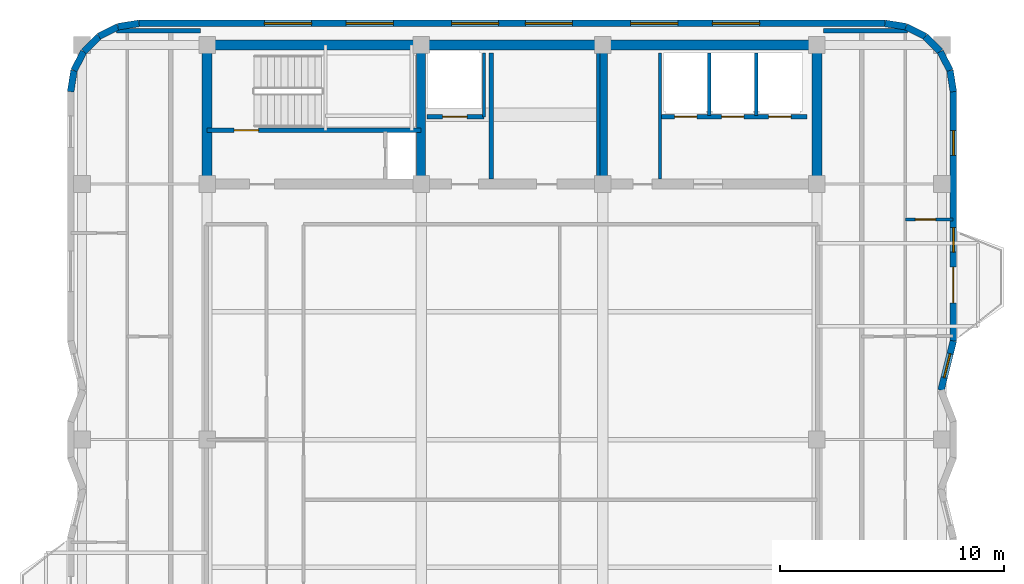
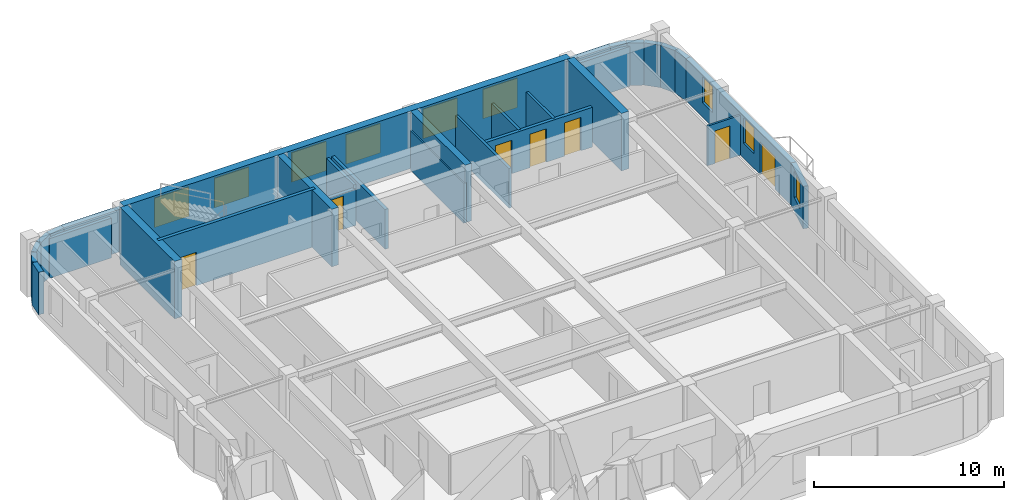
# One storey, part 5 of 8: 30 walls, 9 windows, 7 doors, 16 openings.
"""IFC4 building model written with IfcOpenShell, lengths in metres."""

from ifc_helpers import new_model, si_unit, direction, frame, frame_2d, origin, place, context, subcontext, project, spatial, rectangle, extrude, material, layer, layer_set, type_object, element, fill, save


model = new_model("IFC4")

# Units and contexts
model_context = context("Model", 3, precision=1e-05, world=origin(), true_north=direction((0.0, 1.0)))
body_context = subcontext(model_context, "Body", "Model", "MODEL_VIEW")
ifc_project = project(units=[si_unit("LENGTHUNIT", "METRE"), si_unit("AREAUNIT", "SQUARE_METRE"), si_unit("VOLUMEUNIT", "CUBIC_METRE"), si_unit("PLANEANGLEUNIT", "RADIAN"), si_unit("MASSUNIT", "GRAM", prefix="KILO")], contexts=[model_context])

# Site, building, storey
site_placement = place(None, origin())
site = spatial("IfcSite", under=ifc_project, at=site_placement, CompositionType="ELEMENT")
building_placement = place(site_placement, origin())
building = spatial("IfcBuilding", under=site, at=building_placement, Name="Svetorya Sky Lyceum", CompositionType="ELEMENT")
storey_placement = place(building_placement, frame((0.0, 0.0, 263.89990234375)))
storey = spatial("IfcBuildingStorey", under=building, at=storey_placement, Name="L66", CompositionType="ELEMENT", Elevation=263.89990234375)

# Walls
ifc_material_1 = material(Name="Concrete C40/50", Category="concrete")
ifc_layer_1 = layer(ifc_material_1, 0.39990234375)
ifc_layer_set_1 = layer_set([ifc_layer_1], Name="Concrete C40/50")
wall_type_1 = type_object("IfcWallType", Name="WL-CORE-400", PredefinedType="SHEAR", material=ifc_layer_set_1)
for number, where, z_axis, x_axis, name in (
    (1, (35.14990234375, 39.824951171875, 0.0), (0.0, 0.0, 1.0), (0.0, 1.0, 0.0), "L66 NC Internal Shear Web WEB1"),
    (2, (43.25, 39.824951171875, 0.0), (0.0, 0.0, 1.0), (0.0, 1.0, 0.0), "L66 NC Internal Shear Web WEB2"),
):
    element("IfcWall", number, at=place(storey_placement, frame(where, z_axis=z_axis, x_axis=x_axis)), inside=storey, type_object=wall_type_1, Name=name, PredefinedType="SHEAR", context=body_context, shape_type="SweptSolid", body=[
        extrude(rectangle(XDim=5.75, YDim=0.39990234375, at=frame_2d((2.875, 0.0))), origin(), (0.0, 0.0, 1.0), 3.7001953125),
    ])
ifc_material_2 = material(Name="Concrete C50/60", Category="concrete")
ifc_layer_2 = layer(ifc_material_2, 0.449951171875)
ifc_layer_set_2 = layer_set([ifc_layer_2], Name="Concrete C50/60")
wall_type_2 = type_object("IfcWallType", Name="WL-CORE-450", PredefinedType="SHEAR", material=ifc_layer_set_2)
wall_1_placement = place(storey_placement, frame((25.60009765625, 45.800048828125, 0.0), z_axis=(0.0, 0.0, 1.0), x_axis=(1.0, 0.0, 0.0)))
element("IfcWall", 3, at=wall_1_placement, inside=storey, type_object=wall_type_2, Name="L66 NC Outer Core Shear Wall", PredefinedType="SHEAR", context=body_context, shape_type="SweptSolid", body=[
    extrude(rectangle(XDim=27.199951171875, YDim=0.449951171875, at=frame_2d((13.60009765625, 0.0))), origin(), (0.0, 0.0, 1.0), 3.7001953125),
])
for number, where, z_axis, x_axis, name in (
    (4, (25.60009765625, 39.824951171875, 0.0), (0.0, 0.0, 1.0), (0.0, 1.0, 0.0), "L66 NC West Core Shear Wall"),
    (5, (52.800048828125, 39.824951171875, 0.0), (0.0, 0.0, 1.0), (0.0, 1.0, 0.0), "L66 NC East Core Shear Wall"),
):
    element("IfcWall", number, at=place(storey_placement, frame(where, z_axis=z_axis, x_axis=x_axis)), inside=storey, type_object=wall_type_2, Name=name, PredefinedType="SHEAR", context=body_context, shape_type="SweptSolid", body=[
        extrude(rectangle(XDim=5.75, YDim=0.449951171875, at=frame_2d((2.875, 0.0))), origin(), (0.0, 0.0, 1.0), 3.7001953125),
    ])

# Wall, opening, window
ifc_material_3 = material(Name="Putilovo limestone rainscreen on autoclaved cellular masonry", Category="masonry")
ifc_layer_3 = layer(ifc_material_3, 0.300048828125)
ifc_layer_set_3 = layer_set([ifc_layer_3], Name="Putilovo limestone rainscreen on autoclaved cellular masonry")
wall_type_3 = type_object("IfcWallType", Name="WL-EXT-300", PredefinedType="SOLIDWALL", material=ifc_layer_set_3)
wall_2_placement = place(storey_placement, frame((58.340087890625, 30.39990234375, 0.0), z_axis=(0.0, 0.0, 1.0), x_axis=(0.242434303349, 0.970167824946, 0.0)))
wall_2 = element("IfcWall", 6, at=wall_2_placement, inside=storey, type_object=wall_type_3, Name="L66 Limestone Exterior Wall 17M", PredefinedType="SOLIDWALL", context=body_context, shape_type="SweptSolid", body=[
    extrude(rectangle(XDim=2.267822265625, YDim=0.300048828125, at=frame_2d((1.1337890625, 0.0))), origin(), (0.0, 0.0, 1.0), 2.72998046875),
])
opening_1_placement = place(wall_2_placement, frame((0.583984375, 0.0, 0.919921875)))
opening_1 = element("IfcOpeningElement", 7, at=opening_1_placement, cuts=wall_2, Name="Opening W-R3", PredefinedType="OPENING", context=body_context, shape_type="SweptSolid", body=[
    extrude(rectangle(XDim=1.10009765625, YDim=1.64990234375, at=frame_2d((0.550048828125, 0.824951171875))), frame((0.0, 0.159912109375, 0.0), z_axis=(0.0, -1.0, 0.0), x_axis=(1.0, 0.0, 0.0)), (0.0, 0.0, 1.0), 0.320068359375),
])
ifc_material_4 = material(Name="Thermally broken aluminium frame with triple low-E glazing", Category="aluminium")
window_type_1 = type_object("IfcWindowType", Name="WN-RES-110", PartitioningType="SINGLE_PANEL", PredefinedType="WINDOW", material=ifc_material_4)
window_1_placement = place(opening_1_placement, origin())
window_1 = element("IfcWindow", 8, at=window_1_placement, inside=storey, type_object=window_type_1, Name="L66 Facade Window W-R3.17M.1", OverallHeight=1.64990234375, OverallWidth=1.10009765625, PartitioningType="SINGLE_PANEL", PredefinedType="WINDOW", context=body_context, shape_type="SweptSolid", body=[
    extrude(rectangle(XDim=1.10009765625, YDim=1.64990234375, at=frame_2d((0.550048828125, 0.824951171875))), frame((0.0, 0.030029296875, 0.0), z_axis=(0.0, -1.0, 0.0), x_axis=(1.0, 0.0, 0.0)), (0.0, 0.0, 1.0), 0.06005859375),
])
fill(opening_1, window_1)

# Wall, openings, door, windows
wall_3_placement = place(storey_placement, frame((58.889892578125, 32.60009765625, 0.0), z_axis=(0.0, 0.0, 1.0), x_axis=(0.0, 1.0, 0.0)))
wall_3 = element("IfcWall", 9, at=wall_3_placement, inside=storey, type_object=wall_type_3, Name="L66 Limestone Exterior Wall 18M", PredefinedType="SOLIDWALL", context=body_context, shape_type="SweptSolid", body=[
    extrude(rectangle(XDim=11.119873046875, YDim=0.300048828125, at=frame_2d((5.56005859375, 0.0))), origin(), (0.0, 0.0, 1.0), 2.72998046875),
])
opening_2_placement = place(wall_3_placement, frame((1.699951171875, 0.0, 0.0)))
opening_2 = element("IfcOpeningElement", 10, at=opening_2_placement, cuts=wall_3, Name="Opening D-BL1", PredefinedType="OPENING", context=body_context, shape_type="SweptSolid", body=[
    extrude(rectangle(XDim=1.60009765625, YDim=2.10009765625, at=frame_2d((0.800048828125, 1.050048828125))), frame((0.0, 0.159912109375, 0.0), z_axis=(0.0, -1.0, 0.0), x_axis=(1.0, 0.0, 0.0)), (0.0, 0.0, 1.0), 0.320068359375),
])
opening_3_placement = place(wall_3_placement, frame((3.9599609375, 0.0, 0.949951171875)))
opening_3 = element("IfcOpeningElement", 11, at=opening_3_placement, cuts=wall_3, Name="Opening W-R3", PredefinedType="OPENING", context=body_context, shape_type="SweptSolid", body=[
    extrude(rectangle(XDim=1.10009765625, YDim=1.64990234375, at=frame_2d((0.550048828125, 0.824951171875))), frame((0.0, 0.159912109375, 0.0), z_axis=(0.0, -1.0, 0.0), x_axis=(1.0, 0.0, 0.0)), (0.0, 0.0, 1.0), 0.320068359375),
])
opening_4_placement = place(wall_3_placement, frame((8.283203125, 0.0, 0.949951171875)))
opening_4 = element("IfcOpeningElement", 12, at=opening_4_placement, cuts=wall_3, Name="Opening W-R3", PredefinedType="OPENING", context=body_context, shape_type="SweptSolid", body=[
    extrude(rectangle(XDim=1.10009765625, YDim=1.64990234375, at=frame_2d((0.550048828125, 0.824951171875))), frame((0.0, 0.159912109375, 0.0), z_axis=(0.0, -1.0, 0.0), x_axis=(1.0, 0.0, 0.0)), (0.0, 0.0, 1.0), 0.320068359375),
])
ifc_material_5 = material(Name="Insulated glazed aluminium balcony door", Category="aluminium")
door_type_1 = type_object("IfcDoorType", Name="DR-BAL-1600", OperationType="DOUBLE_DOOR_SINGLE_SWING", PredefinedType="DOOR", material=ifc_material_5)
door_1_placement = place(opening_2_placement, origin())
door_1 = element("IfcDoor", 13, at=door_1_placement, inside=storey, type_object=door_type_1, Name="L66 Balcony BAL-E1 Door", OperationType="DOUBLE_DOOR_SINGLE_SWING", OverallHeight=2.10009765625, OverallWidth=1.60009765625, PredefinedType="DOOR", context=body_context, shape_type="SweptSolid", body=[
    extrude(rectangle(XDim=1.60009765625, YDim=2.10009765625, at=frame_2d((0.800048828125, 1.050048828125))), frame((0.0, 0.02490234375, 0.0), z_axis=(0.0, -1.0, 0.0), x_axis=(1.0, 0.0, 0.0)), (0.0, 0.0, 1.0), 0.050048828125),
])
fill(opening_2, door_1)
window_2_placement = place(opening_3_placement, origin())
window_2 = element("IfcWindow", 14, at=window_2_placement, inside=storey, type_object=window_type_1, Name="L66 Facade Window W-R3.18M.1", OverallHeight=1.64990234375, OverallWidth=1.10009765625, PartitioningType="SINGLE_PANEL", PredefinedType="WINDOW", context=body_context, shape_type="SweptSolid", body=[
    extrude(rectangle(XDim=1.10009765625, YDim=1.64990234375, at=frame_2d((0.550048828125, 0.824951171875))), frame((0.0, 0.030029296875, 0.0), z_axis=(0.0, -1.0, 0.0), x_axis=(1.0, 0.0, 0.0)), (0.0, 0.0, 1.0), 0.06005859375),
])
fill(opening_3, window_2)
window_3_placement = place(opening_4_placement, origin())
window_3 = element("IfcWindow", 15, at=window_3_placement, inside=storey, type_object=window_type_1, Name="L66 Facade Window W-R3.18M.2", OverallHeight=1.64990234375, OverallWidth=1.10009765625, PartitioningType="SINGLE_PANEL", PredefinedType="WINDOW", context=body_context, shape_type="SweptSolid", body=[
    extrude(rectangle(XDim=1.10009765625, YDim=1.64990234375, at=frame_2d((0.550048828125, 0.824951171875))), frame((0.0, 0.030029296875, 0.0), z_axis=(0.0, -1.0, 0.0), x_axis=(1.0, 0.0, 0.0)), (0.0, 0.0, 1.0), 0.06005859375),
])
fill(opening_4, window_3)

# Walls
wall_4_placement = place(storey_placement, frame((58.889892578125, 43.719970703125, 0.0), z_axis=(0.0, 0.0, 1.0), x_axis=(-0.156304114255, 0.987708977314, 0.0)))
element("IfcWall", 16, at=wall_4_placement, inside=storey, type_object=wall_type_3, Name="L66 Limestone Exterior Wall 19M", PredefinedType="SOLIDWALL", context=body_context, shape_type="SweptSolid", body=[
    extrude(rectangle(XDim=0.954345703125, YDim=0.300048828125, at=frame_2d((0.47705078125, 0.0))), origin(), (0.0, 0.0, 1.0), 2.72998046875),
])
wall_5_placement = place(storey_placement, frame((58.74072265625, 44.66259765625, 0.0), z_axis=(0.0, 0.0, 1.0), x_axis=(-0.45395644796, 0.891023873617, 0.0)))
element("IfcWall", 17, at=wall_5_placement, inside=storey, type_object=wall_type_3, Name="L66 Limestone Exterior Wall 20M", PredefinedType="SOLIDWALL", context=body_context, shape_type="SweptSolid", body=[
    extrude(rectangle(XDim=0.9541015625, YDim=0.300048828125, at=frame_2d((0.47705078125, 0.0))), origin(), (0.0, 0.0, 1.0), 2.72998046875),
])
for number, where, z_axis, x_axis, name in (
    (18, (58.3076171875, 45.5126953125, 0.0), (0.0, 0.0, 1.0), (-0.707106781187, 0.707106781187, 0.0), "L66 Limestone Exterior Wall 21M"),
    (19, (57.6328125, 46.1875, 0.0), (0.0, 0.0, 1.0), (-0.891076589373, 0.453852962833, 0.0), "L66 Limestone Exterior Wall 22M"),
):
    element("IfcWall", number, at=place(storey_placement, frame(where, z_axis=z_axis, x_axis=x_axis)), inside=storey, type_object=wall_type_3, Name=name, PredefinedType="SOLIDWALL", context=body_context, shape_type="SweptSolid", body=[
        extrude(rectangle(XDim=0.954345703125, YDim=0.300048828125, at=frame_2d((0.47705078125, 0.0))), origin(), (0.0, 0.0, 1.0), 2.72998046875),
    ])
wall_6_placement = place(storey_placement, frame((56.782470703125, 46.62060546875, 0.0), z_axis=(0.0, 0.0, 1.0), x_axis=(-0.987663181641, 0.156593229835, 0.0)))
element("IfcWall", 20, at=wall_6_placement, inside=storey, type_object=wall_type_3, Name="L66 Limestone Exterior Wall 23M", PredefinedType="SOLIDWALL", context=body_context, shape_type="SweptSolid", body=[
    extrude(rectangle(XDim=0.9541015625, YDim=0.300048828125, at=frame_2d((0.47705078125, 0.0))), origin(), (0.0, 0.0, 1.0), 2.72998046875),
])

# Wall, openings, windows
wall_7_placement = place(storey_placement, frame((55.840087890625, 46.77001953125, 0.0), z_axis=(0.0, 0.0, 1.0), x_axis=(-1.0, 0.0, 0.0)))
wall_7 = element("IfcWall", 21, at=wall_7_placement, inside=storey, type_object=wall_type_3, Name="L66 Limestone Exterior Wall 24M", PredefinedType="SOLIDWALL", context=body_context, shape_type="SweptSolid", body=[
    extrude(rectangle(XDim=33.280029296875, YDim=0.300048828125, at=frame_2d((16.64013671875, 0.0))), origin(), (0.0, 0.0, 1.0), 2.72998046875),
])
opening_5_placement = place(wall_7_placement, frame((5.59619140625, 0.0, 0.7099609375)))
opening_5 = element("IfcOpeningElement", 22, at=opening_5_placement, cuts=wall_7, Name="Opening W-R0", PredefinedType="OPENING", context=body_context, shape_type="SweptSolid", body=[
    extrude(rectangle(XDim=2.10009765625, YDim=1.89990234375, at=frame_2d((1.050048828125, 0.949951171875))), frame((0.0, 0.159912109375, 0.0), z_axis=(0.0, -1.0, 0.0), x_axis=(1.0, 0.0, 0.0)), (0.0, 0.0, 1.0), 0.320068359375),
])
opening_6_placement = place(wall_7_placement, frame((9.243896484375, 0.0, 0.7099609375)))
opening_6 = element("IfcOpeningElement", 23, at=opening_6_placement, cuts=wall_7, Name="Opening W-R0", PredefinedType="OPENING", context=body_context, shape_type="SweptSolid", body=[
    extrude(rectangle(XDim=2.10009765625, YDim=1.89990234375, at=frame_2d((1.050048828125, 0.949951171875))), frame((0.0, 0.159912109375, 0.0), z_axis=(0.0, -1.0, 0.0), x_axis=(1.0, 0.0, 0.0)), (0.0, 0.0, 1.0), 0.320068359375),
])
opening_7_placement = place(wall_7_placement, frame((13.94140625, 0.0, 0.7099609375)))
opening_7 = element("IfcOpeningElement", 24, at=opening_7_placement, cuts=wall_7, Name="Opening W-R0", PredefinedType="OPENING", context=body_context, shape_type="SweptSolid", body=[
    extrude(rectangle(XDim=2.10009765625, YDim=1.89990234375, at=frame_2d((1.050048828125, 0.949951171875))), frame((0.0, 0.159912109375, 0.0), z_axis=(0.0, -1.0, 0.0), x_axis=(1.0, 0.0, 0.0)), (0.0, 0.0, 1.0), 0.320068359375),
])
opening_8_placement = place(wall_7_placement, frame((17.23876953125, 0.0, 0.7099609375)))
opening_8 = element("IfcOpeningElement", 25, at=opening_8_placement, cuts=wall_7, Name="Opening W-R0", PredefinedType="OPENING", context=body_context, shape_type="SweptSolid", body=[
    extrude(rectangle(XDim=2.10009765625, YDim=1.89990234375, at=frame_2d((1.050048828125, 0.949951171875))), frame((0.0, 0.159912109375, 0.0), z_axis=(0.0, -1.0, 0.0), x_axis=(1.0, 0.0, 0.0)), (0.0, 0.0, 1.0), 0.320068359375),
])
opening_9_placement = place(wall_7_placement, frame((21.936279296875, 0.0, 0.7099609375)))
opening_9 = element("IfcOpeningElement", 26, at=opening_9_placement, cuts=wall_7, Name="Opening W-R0", PredefinedType="OPENING", context=body_context, shape_type="SweptSolid", body=[
    extrude(rectangle(XDim=2.10009765625, YDim=1.89990234375, at=frame_2d((1.050048828125, 0.949951171875))), frame((0.0, 0.159912109375, 0.0), z_axis=(0.0, -1.0, 0.0), x_axis=(1.0, 0.0, 0.0)), (0.0, 0.0, 1.0), 0.320068359375),
])
opening_10_placement = place(wall_7_placement, frame((25.583740234375, 0.0, 0.7099609375)))
opening_10 = element("IfcOpeningElement", 27, at=opening_10_placement, cuts=wall_7, Name="Opening W-R0", PredefinedType="OPENING", context=body_context, shape_type="SweptSolid", body=[
    extrude(rectangle(XDim=2.10009765625, YDim=1.89990234375, at=frame_2d((1.050048828125, 0.949951171875))), frame((0.0, 0.159912109375, 0.0), z_axis=(0.0, -1.0, 0.0), x_axis=(1.0, 0.0, 0.0)), (0.0, 0.0, 1.0), 0.320068359375),
])
window_type_2 = type_object("IfcWindowType", Name="WN-RES-210", PartitioningType="TRIPLE_PANEL_VERTICAL", PredefinedType="WINDOW", material=ifc_material_4)
window_4_placement = place(opening_5_placement, origin())
window_4 = element("IfcWindow", 28, at=window_4_placement, inside=storey, type_object=window_type_2, Name="L66 Facade Window W-R0.24M.1", OverallHeight=1.89990234375, OverallWidth=2.10009765625, PartitioningType="SINGLE_PANEL", PredefinedType="WINDOW", context=body_context, shape_type="SweptSolid", body=[
    extrude(rectangle(XDim=2.10009765625, YDim=1.89990234375, at=frame_2d((1.050048828125, 0.949951171875))), frame((0.0, 0.030029296875, 0.0), z_axis=(0.0, -1.0, 0.0), x_axis=(1.0, 0.0, 0.0)), (0.0, 0.0, 1.0), 0.06005859375),
])
fill(opening_5, window_4)
window_5_placement = place(opening_6_placement, origin())
window_5 = element("IfcWindow", 29, at=window_5_placement, inside=storey, type_object=window_type_2, Name="L66 Facade Window W-R0.24M.2", OverallHeight=1.89990234375, OverallWidth=2.10009765625, PartitioningType="SINGLE_PANEL", PredefinedType="WINDOW", context=body_context, shape_type="SweptSolid", body=[
    extrude(rectangle(XDim=2.10009765625, YDim=1.89990234375, at=frame_2d((1.050048828125, 0.949951171875))), frame((0.0, 0.030029296875, 0.0), z_axis=(0.0, -1.0, 0.0), x_axis=(1.0, 0.0, 0.0)), (0.0, 0.0, 1.0), 0.06005859375),
])
fill(opening_6, window_5)
window_6_placement = place(opening_7_placement, origin())
window_6 = element("IfcWindow", 30, at=window_6_placement, inside=storey, type_object=window_type_2, Name="L66 Facade Window W-R0.24M.3", OverallHeight=1.89990234375, OverallWidth=2.10009765625, PartitioningType="SINGLE_PANEL", PredefinedType="WINDOW", context=body_context, shape_type="SweptSolid", body=[
    extrude(rectangle(XDim=2.10009765625, YDim=1.89990234375, at=frame_2d((1.050048828125, 0.949951171875))), frame((0.0, 0.030029296875, 0.0), z_axis=(0.0, -1.0, 0.0), x_axis=(1.0, 0.0, 0.0)), (0.0, 0.0, 1.0), 0.06005859375),
])
fill(opening_7, window_6)
window_7_placement = place(opening_8_placement, origin())
window_7 = element("IfcWindow", 31, at=window_7_placement, inside=storey, type_object=window_type_2, Name="L66 Facade Window W-R0.24M.4", OverallHeight=1.89990234375, OverallWidth=2.10009765625, PartitioningType="SINGLE_PANEL", PredefinedType="WINDOW", context=body_context, shape_type="SweptSolid", body=[
    extrude(rectangle(XDim=2.10009765625, YDim=1.89990234375, at=frame_2d((1.050048828125, 0.949951171875))), frame((0.0, 0.030029296875, 0.0), z_axis=(0.0, -1.0, 0.0), x_axis=(1.0, 0.0, 0.0)), (0.0, 0.0, 1.0), 0.06005859375),
])
fill(opening_8, window_7)
window_8_placement = place(opening_9_placement, origin())
window_8 = element("IfcWindow", 32, at=window_8_placement, inside=storey, type_object=window_type_2, Name="L66 Facade Window W-R0.24M.5", OverallHeight=1.89990234375, OverallWidth=2.10009765625, PartitioningType="SINGLE_PANEL", PredefinedType="WINDOW", context=body_context, shape_type="SweptSolid", body=[
    extrude(rectangle(XDim=2.10009765625, YDim=1.89990234375, at=frame_2d((1.050048828125, 0.949951171875))), frame((0.0, 0.030029296875, 0.0), z_axis=(0.0, -1.0, 0.0), x_axis=(1.0, 0.0, 0.0)), (0.0, 0.0, 1.0), 0.06005859375),
])
fill(opening_9, window_8)
window_9_placement = place(opening_10_placement, origin())
window_9 = element("IfcWindow", 33, at=window_9_placement, inside=storey, type_object=window_type_2, Name="L66 Facade Window W-R0.24M.6", OverallHeight=1.89990234375, OverallWidth=2.10009765625, PartitioningType="SINGLE_PANEL", PredefinedType="WINDOW", context=body_context, shape_type="SweptSolid", body=[
    extrude(rectangle(XDim=2.10009765625, YDim=1.89990234375, at=frame_2d((1.050048828125, 0.949951171875))), frame((0.0, 0.030029296875, 0.0), z_axis=(0.0, -1.0, 0.0), x_axis=(1.0, 0.0, 0.0)), (0.0, 0.0, 1.0), 0.06005859375),
])
fill(opening_10, window_9)

# Walls
wall_8_placement = place(storey_placement, frame((22.56005859375, 46.77001953125, 0.0), z_axis=(0.0, 0.0, 1.0), x_axis=(-0.987669453596, -0.156553666304, 0.0)))
element("IfcWall", 34, at=wall_8_placement, inside=storey, type_object=wall_type_3, Name="L66 Limestone Exterior Wall 25M", PredefinedType="SOLIDWALL", context=body_context, shape_type="SweptSolid", body=[
    extrude(rectangle(XDim=0.954345703125, YDim=0.300048828125, at=frame_2d((0.47705078125, 0.0))), origin(), (0.0, 0.0, 1.0), 2.72998046875),
])
wall_9_placement = place(storey_placement, frame((21.617431640625, 46.62060546875, 0.0), z_axis=(0.0, 0.0, 1.0), x_axis=(-0.891023873617, -0.45395644796, 0.0)))
element("IfcWall", 35, at=wall_9_placement, inside=storey, type_object=wall_type_3, Name="L66 Limestone Exterior Wall 26M", PredefinedType="SOLIDWALL", context=body_context, shape_type="SweptSolid", body=[
    extrude(rectangle(XDim=0.9541015625, YDim=0.300048828125, at=frame_2d((0.47705078125, 0.0))), origin(), (0.0, 0.0, 1.0), 2.72998046875),
])
wall_10_placement = place(storey_placement, frame((20.767333984375, 46.1875, 0.0), z_axis=(0.0, 0.0, 1.0), x_axis=(-0.707106781187, -0.707106781187, 0.0)))
element("IfcWall", 36, at=wall_10_placement, inside=storey, type_object=wall_type_3, Name="L66 Limestone Exterior Wall 27M", PredefinedType="SOLIDWALL", context=body_context, shape_type="SweptSolid", body=[
    extrude(rectangle(XDim=0.954345703125, YDim=0.300048828125, at=frame_2d((0.47705078125, 0.0))), origin(), (0.0, 0.0, 1.0), 2.72998046875),
])
wall_11_placement = place(storey_placement, frame((20.092529296875, 45.5126953125, 0.0), z_axis=(0.0, 0.0, 1.0), x_axis=(-0.454159573051, -0.890920356825, 0.0)))
element("IfcWall", 37, at=wall_11_placement, inside=storey, type_object=wall_type_3, Name="L66 Limestone Exterior Wall 28M", PredefinedType="SOLIDWALL", context=body_context, shape_type="SweptSolid", body=[
    extrude(rectangle(XDim=0.9541015625, YDim=0.300048828125, at=frame_2d((0.47705078125, 0.0))), origin(), (0.0, 0.0, 1.0), 2.72998046875),
])
wall_12_placement = place(storey_placement, frame((19.6591796875, 44.66259765625, 0.0), z_axis=(0.0, 0.0, 1.0), x_axis=(-0.156304114255, -0.987708977314, 0.0)))
element("IfcWall", 38, at=wall_12_placement, inside=storey, type_object=wall_type_3, Name="L66 Limestone Exterior Wall 29M", PredefinedType="SOLIDWALL", context=body_context, shape_type="SweptSolid", body=[
    extrude(rectangle(XDim=0.954345703125, YDim=0.300048828125, at=frame_2d((0.47705078125, 0.0))), origin(), (0.0, 0.0, 1.0), 2.72998046875),
])

# Wall, opening, door
ifc_material_6 = material(Name="Twin-stud galvanized framing with double fireboard", Category="gypsum")
ifc_layer_4 = layer(ifc_material_6, 0.1201171875)
ifc_layer_set_4 = layer_set([ifc_layer_4], Name="Twin-stud galvanized framing with double fireboard")
wall_type_4 = type_object("IfcWallType", Name="WL-PART-120", PredefinedType="PARTITIONING", material=ifc_layer_set_4)
wall_13_placement = place(storey_placement, frame((56.75, 38.02001953125, 0.0), z_axis=(0.0, 0.0, 1.0), x_axis=(1.0, 0.0, 0.0)))
wall_13 = element("IfcWall", 39, at=wall_13_placement, inside=storey, type_object=wall_type_4, Name="L66 Interior Partition E1-WL3", PredefinedType="PARTITIONING", context=body_context, shape_type="SweptSolid", body=[
    extrude(rectangle(XDim=2.1201171875, YDim=0.1201171875, at=frame_2d((1.06005859375, 0.0))), origin(), (0.0, 0.0, 1.0), 2.56005859375),
])
opening_11_placement = place(wall_13_placement, frame((0.449951171875, 0.0, 0.0)))
opening_11 = element("IfcOpeningElement", 40, at=opening_11_placement, cuts=wall_13, Name="Opening D-RM1", PredefinedType="OPENING", context=body_context, shape_type="SweptSolid", body=[
    extrude(rectangle(XDim=0.89990234375, YDim=2.10009765625, at=frame_2d((0.449951171875, 1.050048828125))), frame((0.0, 0.070068359375, 0.0), z_axis=(0.0, -1.0, 0.0), x_axis=(1.0, 0.0, 0.0)), (0.0, 0.0, 1.0), 0.14013671875),
])
ifc_material_7 = material(Name="Lacquered birch veneer internal door")
door_type_2 = type_object("IfcDoorType", Name="DR-INT-900", OperationType="SINGLE_SWING_LEFT", PredefinedType="DOOR", material=ifc_material_7)
door_2_placement = place(opening_11_placement, origin())
door_2 = element("IfcDoor", 41, at=door_2_placement, inside=storey, type_object=door_type_2, Name="Apartment E1 Bedroom 3 Door", OperationType="SINGLE_SWING_RIGHT", OverallHeight=2.10009765625, OverallWidth=0.89990234375, PredefinedType="DOOR", context=body_context, shape_type="SweptSolid", body=[
    extrude(rectangle(XDim=0.89990234375, YDim=2.10009765625, at=frame_2d((0.449951171875, 1.050048828125))), frame((0.0, 0.02490234375, 0.0), z_axis=(0.0, -1.0, 0.0), x_axis=(1.0, 0.0, 0.0)), (0.0, 0.0, 1.0), 0.050048828125),
])
fill(opening_11, door_2)

# Walls
ifc_material_8 = material(Name="Autoclaved cellular masonry blockwork with acoustic render", Category="masonry")
ifc_layer_5 = layer(ifc_material_8, 0.14990234375)
ifc_layer_set_5 = layer_set([ifc_layer_5], Name="Autoclaved cellular masonry blockwork with acoustic render")
wall_type_5 = type_object("IfcWallType", Name="WL-PART-150", PredefinedType="PARTITIONING", material=ifc_layer_set_5)
wall_14_placement = place(storey_placement, frame((37.949951171875, 42.60009765625, 0.0), z_axis=(0.0, 0.0, 1.0), x_axis=(0.0, 1.0, 0.0)))
element("IfcWall", 42, at=wall_14_placement, inside=storey, type_object=wall_type_5, Name="L66 Interior Partition NC-FL1SIDE", PredefinedType="PARTITIONING", context=body_context, shape_type="SweptSolid", body=[
    extrude(rectangle(XDim=2.849853515625, YDim=0.14990234375, at=frame_2d((1.4248046875, 0.0))), origin(), (0.0, 0.0, 1.0), 2.56005859375),
])
for number, where, z_axis, x_axis, name in (
    (43, (43.050048828125, 39.820068359375, 0.0), (0.0, 0.0, 1.0), (0.0, 1.0, 0.0), "L66 Interior Partition NC-FPM-END"),
    (44, (45.800048828125, 39.820068359375, 0.0), (0.0, 0.0, 1.0), (0.0, 1.0, 0.0), "L66 Interior Partition NC-PM3-FULL"),
):
    element("IfcWall", number, at=place(storey_placement, frame(where, z_axis=z_axis, x_axis=x_axis)), inside=storey, type_object=wall_type_5, Name=name, PredefinedType="PARTITIONING", context=body_context, shape_type="SweptSolid", body=[
        extrude(rectangle(XDim=5.6298828125, YDim=0.14990234375, at=frame_2d((2.81494140625, 0.0))), origin(), (0.0, 0.0, 1.0), 2.56005859375),
    ])
for number, where, z_axis, x_axis, name in (
    (45, (48.0, 42.64990234375, 0.0), (0.0, 0.0, 1.0), (0.0, 1.0, 0.0), "L66 Interior Partition NC-PH-D1"),
    (46, (50.10009765625, 42.64990234375, 0.0), (0.0, 0.0, 1.0), (0.0, 1.0, 0.0), "L66 Interior Partition NC-PH-D2"),
):
    element("IfcWall", number, at=place(storey_placement, frame(where, z_axis=z_axis, x_axis=x_axis)), inside=storey, type_object=wall_type_5, Name=name, PredefinedType="PARTITIONING", context=body_context, shape_type="SweptSolid", body=[
        extrude(rectangle(XDim=2.800048828125, YDim=0.14990234375, at=frame_2d((1.39990234375, 0.0))), origin(), (0.0, 0.0, 1.0), 2.56005859375),
    ])

# Wall, opening, door
ifc_material_9 = material(Name="Autoclaved cellular masonry blockwork with gypsum plaster", Category="masonry")
ifc_layer_6 = layer(ifc_material_9, 0.199951171875)
ifc_layer_set_6 = layer_set([ifc_layer_6], Name="Autoclaved cellular masonry blockwork with gypsum plaster")
wall_type_6 = type_object("IfcWallType", Name="WL-PART-200", PredefinedType="PARTITIONING", material=ifc_layer_set_6)
wall_15_placement = place(storey_placement, frame((37.949951171875, 42.60009765625, 0.0), z_axis=(0.0, 0.0, 1.0), x_axis=(-1.0, 0.0, 0.0)))
wall_15 = element("IfcWall", 47, at=wall_15_placement, inside=storey, type_object=wall_type_6, Name="L66 Interior Partition NC-FL1W", PredefinedType="PARTITIONING", context=body_context, shape_type="SweptSolid", body=[
    extrude(rectangle(XDim=2.550048828125, YDim=0.199951171875, at=frame_2d((1.27490234375, 0.0))), origin(), (0.0, 0.0, 1.0), 2.330078125),
])
opening_12_placement = place(wall_15_placement, frame((0.75, 0.0, 0.0)))
opening_12 = element("IfcOpeningElement", 48, at=opening_12_placement, cuts=wall_15, Name="Opening LD-FL", PredefinedType="OPENING", context=body_context, shape_type="SweptSolid", body=[
    extrude(rectangle(XDim=1.10009765625, YDim=2.14990234375, at=frame_2d((0.550048828125, 1.074951171875))), frame((0.0, 0.10986328125, 0.0), z_axis=(0.0, -1.0, 0.0), x_axis=(1.0, 0.0, 0.0)), (0.0, 0.0, 1.0), 0.219970703125),
])
ifc_material_10 = material(Name="Fire-rated stainless AISI 304 firefighting lift landing door")
door_type_3 = type_object("IfcDoorType", Name="DR-LIFT-1100", OperationType="SLIDING_TO_LEFT", PredefinedType="DOOR", material=ifc_material_10)
door_3_placement = place(opening_12_placement, origin())
door_3 = element("IfcDoor", 49, at=door_3_placement, inside=storey, type_object=door_type_3, Name="L66 Firefighting Lift FL1 Landing Door", OperationType="SLIDING_TO_LEFT", OverallHeight=2.14990234375, OverallWidth=1.10009765625, PredefinedType="DOOR", context=body_context, shape_type="SweptSolid", body=[
    extrude(rectangle(XDim=1.10009765625, YDim=2.14990234375, at=frame_2d((0.550048828125, 1.074951171875))), frame((0.0, 0.02490234375, 0.0), z_axis=(0.0, -1.0, 0.0), x_axis=(1.0, 0.0, 0.0)), (0.0, 0.0, 1.0), 0.050048828125),
])
fill(opening_12, door_3)

# Wall
wall_16_placement = place(storey_placement, frame((38.280029296875, 39.820068359375, 0.0), z_axis=(0.0, 0.0, 1.0), x_axis=(0.0, 1.0, 0.0)))
element("IfcWall", 50, at=wall_16_placement, inside=storey, type_object=wall_type_6, Name="L66 Interior Partition NC-FFLDIV", PredefinedType="PARTITIONING", context=body_context, shape_type="SweptSolid", body=[
    extrude(rectangle(XDim=5.6298828125, YDim=0.199951171875, at=frame_2d((2.81494140625, 0.0))), origin(), (0.0, 0.0, 1.0), 2.56005859375),
])

# Wall, openings, doors
wall_17_placement = place(storey_placement, frame((52.35009765625, 42.60009765625, 0.0), z_axis=(0.0, 0.0, 1.0), x_axis=(-1.0, 0.0, 0.0)))
wall_17 = element("IfcWall", 51, at=wall_17_placement, inside=storey, type_object=wall_type_6, Name="L66 Interior Partition NC-PHEW", PredefinedType="PARTITIONING", context=body_context, shape_type="SweptSolid", body=[
    extrude(rectangle(XDim=6.5, YDim=0.199951171875, at=frame_2d((3.25, 0.0))), origin(), (0.0, 0.0, 1.0), 2.56005859375),
])
opening_13_placement = place(wall_17_placement, frame((4.89990234375, 0.0, 0.0)))
opening_13 = element("IfcOpeningElement", 52, at=opening_13_placement, cuts=wall_17, Name="Opening LD-P1", PredefinedType="OPENING", context=body_context, shape_type="SweptSolid", body=[
    extrude(rectangle(XDim=1.0, YDim=2.14990234375, at=frame_2d((0.5, 1.074951171875))), frame((0.0, 0.10986328125, 0.0), z_axis=(0.0, -1.0, 0.0), x_axis=(1.0, 0.0, 0.0)), (0.0, 0.0, 1.0), 0.219970703125),
])
opening_14_placement = place(wall_17_placement, frame((2.800048828125, 0.0, 0.0)))
opening_14 = element("IfcOpeningElement", 53, at=opening_14_placement, cuts=wall_17, Name="Opening LD-P1", PredefinedType="OPENING", context=body_context, shape_type="SweptSolid", body=[
    extrude(rectangle(XDim=1.0, YDim=2.14990234375, at=frame_2d((0.5, 1.074951171875))), frame((0.0, 0.10986328125, 0.0), z_axis=(0.0, -1.0, 0.0), x_axis=(1.0, 0.0, 0.0)), (0.0, 0.0, 1.0), 0.219970703125),
])
opening_15_placement = place(wall_17_placement, frame((0.699951171875, 0.0, 0.0)))
opening_15 = element("IfcOpeningElement", 54, at=opening_15_placement, cuts=wall_17, Name="Opening LD-P1", PredefinedType="OPENING", context=body_context, shape_type="SweptSolid", body=[
    extrude(rectangle(XDim=1.0, YDim=2.14990234375, at=frame_2d((0.5, 1.074951171875))), frame((0.0, 0.10986328125, 0.0), z_axis=(0.0, -1.0, 0.0), x_axis=(1.0, 0.0, 0.0)), (0.0, 0.0, 1.0), 0.219970703125),
])
ifc_material_11 = material(Name="Champagne-anodized stainless passenger lift landing door")
door_type_4 = type_object("IfcDoorType", Name="DR-LIFT-1000", OperationType="SLIDING_TO_LEFT", PredefinedType="DOOR", material=ifc_material_11)
door_4_placement = place(opening_13_placement, origin())
door_4 = element("IfcDoor", 55, at=door_4_placement, inside=storey, type_object=door_type_4, Name="L66 Passenger Lift PH1 Landing Door", OperationType="SLIDING_TO_LEFT", OverallHeight=2.14990234375, OverallWidth=1.0, PredefinedType="DOOR", context=body_context, shape_type="SweptSolid", body=[
    extrude(rectangle(XDim=1.0, YDim=2.14990234375, at=frame_2d((0.5, 1.074951171875))), frame((0.0, 0.02490234375, 0.0), z_axis=(0.0, -1.0, 0.0), x_axis=(1.0, 0.0, 0.0)), (0.0, 0.0, 1.0), 0.050048828125),
])
fill(opening_13, door_4)
door_5_placement = place(opening_14_placement, origin())
door_5 = element("IfcDoor", 56, at=door_5_placement, inside=storey, type_object=door_type_4, Name="L66 Passenger Lift PH2 Landing Door", OperationType="SLIDING_TO_LEFT", OverallHeight=2.14990234375, OverallWidth=1.0, PredefinedType="DOOR", context=body_context, shape_type="SweptSolid", body=[
    extrude(rectangle(XDim=1.0, YDim=2.14990234375, at=frame_2d((0.5, 1.074951171875))), frame((0.0, 0.02490234375, 0.0), z_axis=(0.0, -1.0, 0.0), x_axis=(1.0, 0.0, 0.0)), (0.0, 0.0, 1.0), 0.050048828125),
])
fill(opening_14, door_5)
door_6_placement = place(opening_15_placement, origin())
door_6 = element("IfcDoor", 57, at=door_6_placement, inside=storey, type_object=door_type_4, Name="L66 Passenger Lift PH3 Landing Door", OperationType="SLIDING_TO_LEFT", OverallHeight=2.14990234375, OverallWidth=1.0, PredefinedType="DOOR", context=body_context, shape_type="SweptSolid", body=[
    extrude(rectangle(XDim=1.0, YDim=2.14990234375, at=frame_2d((0.5, 1.074951171875))), frame((0.0, 0.02490234375, 0.0), z_axis=(0.0, -1.0, 0.0), x_axis=(1.0, 0.0, 0.0)), (0.0, 0.0, 1.0), 0.050048828125),
])
fill(opening_15, door_6)

# Walls
wall_18_placement = place(storey_placement, frame((21.5458984375, 46.449951171875, 0.0), z_axis=(0.0, 0.0, 1.0), x_axis=(1.0, 0.0, 0.0)))
element("IfcWall", 58, at=wall_18_placement, inside=storey, type_object=wall_type_6, Name="L66 Interior Partition W-CAP-N", PredefinedType="PARTITIONING", context=body_context, shape_type="SweptSolid", body=[
    extrude(rectangle(XDim=3.754150390625, YDim=0.199951171875, at=frame_2d((1.876953125, 0.0))), origin(), (0.0, 0.0, 1.0), 2.56005859375),
])
wall_19_placement = place(storey_placement, frame((53.10009765625, 46.449951171875, 0.0), z_axis=(0.0, 0.0, 1.0), x_axis=(1.0, 0.0, 0.0)))
element("IfcWall", 59, at=wall_19_placement, inside=storey, type_object=wall_type_6, Name="L66 Interior Partition E-CAP-N", PredefinedType="PARTITIONING", context=body_context, shape_type="SweptSolid", body=[
    extrude(rectangle(XDim=3.75390625, YDim=0.199951171875, at=frame_2d((1.876953125, 0.0))), origin(), (0.0, 0.0, 1.0), 2.56005859375),
])

# Wall, opening, door
ifc_layer_7 = layer(ifc_material_2, 0.199951171875)
ifc_layer_set_7 = layer_set([ifc_layer_7], Name="Concrete C50/60")
wall_type_7 = type_object("IfcWallType", Name="WL-SHW-200", PredefinedType="SHEAR", material=ifc_layer_set_7)
wall_20_placement = place(storey_placement, frame((35.14990234375, 42.0, 0.0), z_axis=(0.0, 0.0, 1.0), x_axis=(-1.0, 0.0, 0.0)))
wall_20 = element("IfcWall", 60, at=wall_20_placement, inside=storey, type_object=wall_type_7, Name="L66 Structural Stair Shaft Wall NC-STW", PredefinedType="SHEAR", context=body_context, shape_type="SweptSolid", body=[
    extrude(rectangle(XDim=9.5498046875, YDim=0.199951171875, at=frame_2d((4.77490234375, 0.0))), origin(), (0.0, 0.0, 1.0), 3.7001953125),
])
opening_16_placement = place(wall_20_placement, frame((7.25, 0.0, 0.0)))
opening_16 = element("IfcOpeningElement", 61, at=opening_16_placement, cuts=wall_20, Name="Opening D-ST1", PredefinedType="OPENING", context=body_context, shape_type="SweptSolid", body=[
    extrude(rectangle(XDim=1.10009765625, YDim=2.14990234375, at=frame_2d((0.550048828125, 1.074951171875))), frame((0.0, 0.10986328125, 0.0), z_axis=(0.0, -1.0, 0.0), x_axis=(1.0, 0.0, 0.0)), (0.0, 0.0, 1.0), 0.219970703125),
])
ifc_material_12 = material(Name="Powder-coated insulated galvanized stair fire door")
door_type_5 = type_object("IfcDoorType", Name="DR-FIRE-1100", OperationType="SINGLE_SWING_LEFT", PredefinedType="DOOR", material=ifc_material_12)
door_7_placement = place(opening_16_placement, origin())
door_7 = element("IfcDoor", 62, at=door_7_placement, inside=storey, type_object=door_type_5, Name="L66 Stair ST-N Vestibule Fire Door", OperationType="SINGLE_SWING_RIGHT", OverallHeight=2.14990234375, OverallWidth=1.10009765625, PredefinedType="DOOR", context=body_context, shape_type="SweptSolid", body=[
    extrude(rectangle(XDim=1.10009765625, YDim=2.14990234375, at=frame_2d((0.550048828125, 1.074951171875))), frame((0.0, 0.02490234375, 0.0), z_axis=(0.0, -1.0, 0.0), x_axis=(1.0, 0.0, 0.0)), (0.0, 0.0, 1.0), 0.050048828125),
])
fill(opening_16, door_7)

save(model, "model.ifc")
